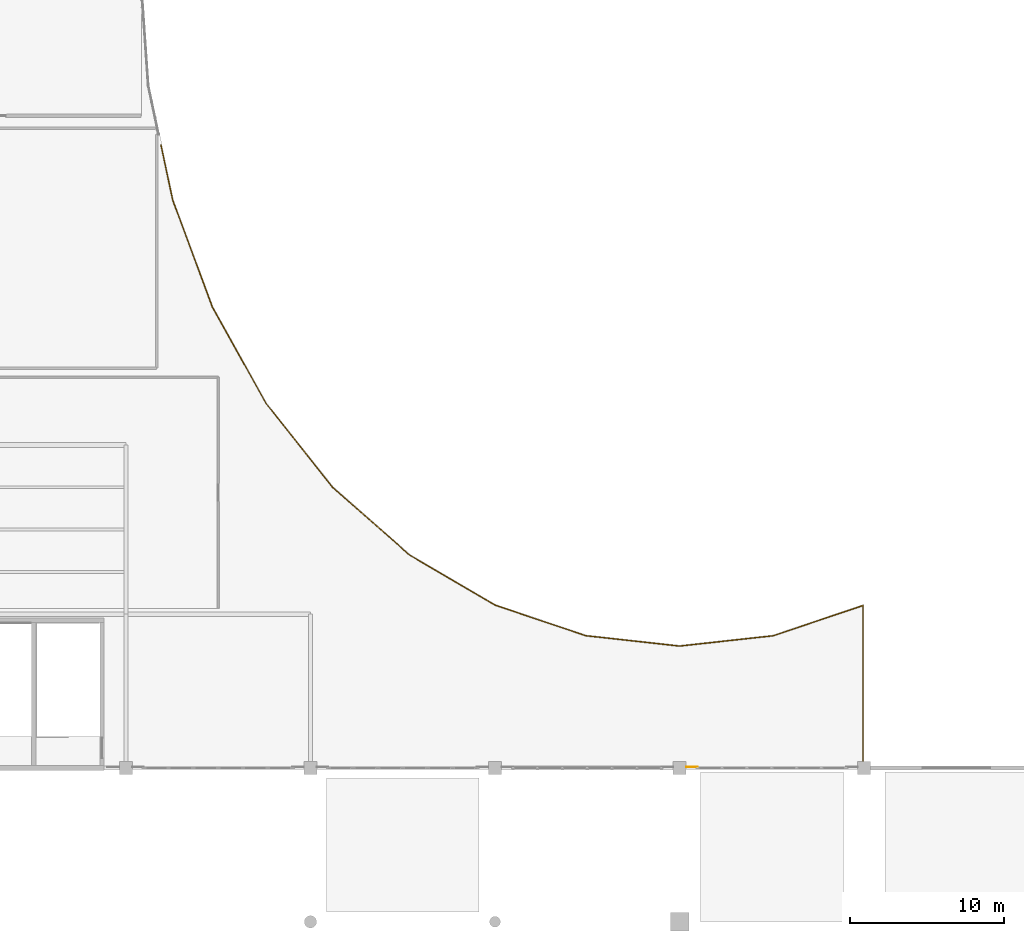
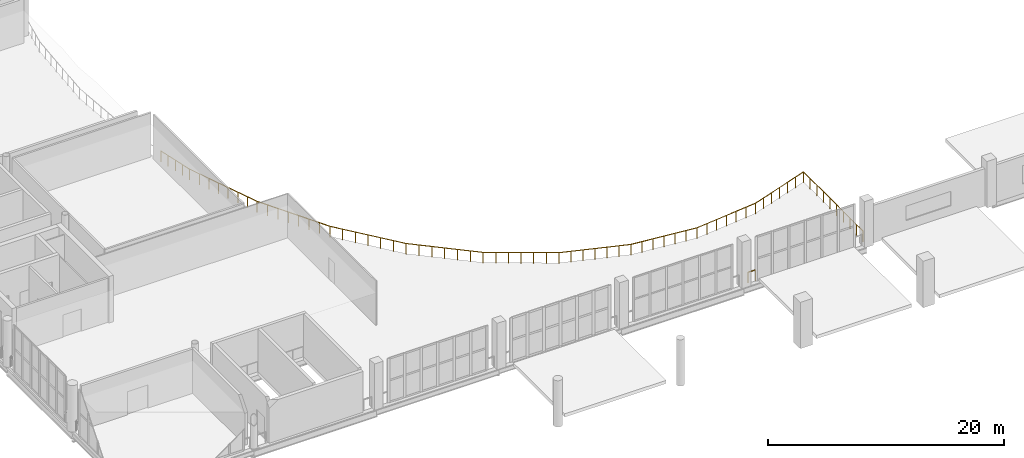
# One storey, part 43 of 49: 2 railings.
"""IFC4 building model written with IfcOpenShell, lengths in metres."""

from ifc_helpers import new_model, si_unit, direction, frame, origin, origin_2d, place, context, subcontext, project, spatial, circle, extrude, material, type_object, element, save


model = new_model("IFC4")

# Units and contexts
model_context = context("Model", 3, precision=1e-05, world=origin(), true_north=direction((0.0, 1.0)))
body_context = subcontext(model_context, "Body", "Model", "MODEL_VIEW")
ifc_project = project(units=[si_unit("LENGTHUNIT", "METRE"), si_unit("AREAUNIT", "SQUARE_METRE"), si_unit("VOLUMEUNIT", "CUBIC_METRE"), si_unit("PLANEANGLEUNIT", "RADIAN"), si_unit("MASSUNIT", "GRAM", prefix="KILO")], contexts=[model_context])

# Site, building, storey
site_placement = place(None, origin())
site = spatial("IfcSite", under=ifc_project, at=site_placement, CompositionType="ELEMENT")
building_placement = place(site_placement, origin())
building = spatial("IfcBuilding", under=site, at=building_placement, Name="Brinegate Civic Arena", CompositionType="ELEMENT")
storey_placement = place(building_placement, frame((0.0, 0.0, 24.60009765625)))
storey = spatial("IfcBuildingStorey", under=building, at=storey_placement, Name="L05", CompositionType="ELEMENT", Elevation=24.60009765625)

# Railings
ifc_material = material(Name="Architectural stainless steel balustrade", Category="steel")
railing_type = type_object("IfcRailingType", Name="RAIL-VOID-BALUSTRADE-1120", PredefinedType="BALUSTRADE", material=ifc_material)
railing_1_placement = place(storey_placement, frame((74.280029296875, 50.513916015625, 0.0)))
element("IfcRailing", 1, at=railing_1_placement, inside=storey, type_object=railing_type, Name="Deck Edge Balustrade L05-432", PredefinedType="BALUSTRADE", context=body_context, shape_type="SweptSolid", body=[
    extrude(circle(Radius=0.02392578125, at=origin_2d()), frame((0.000244140625, -0.00146484375, 1.09619140625), z_axis=(0.208549107908, -0.978011896446, 0.0), x_axis=(0.978011896446, 0.208549107908, 0.0)), (0.0, 0.0, 1.0), 3.6552734375),
    extrude(circle(Radius=0.02392578125, at=origin_2d()), frame((0.763427734375, -3.579345703125, 1.09619140625), z_axis=(0.347588575345, -0.937647152339, 0.0), x_axis=(0.937647152339, 0.347588575345, 0.0)), (0.0, 0.0, 1.0), 7.419677734375),
    extrude(circle(Radius=0.02392578125, at=origin_2d()), frame((3.34375, -10.5390625, 1.09619140625), z_axis=(0.48647155948, -0.873696412845, 0.0), x_axis=(0.873696412845, 0.48647155948, 0.0)), (0.0, 0.0, 1.0), 7.19970703125),
    extrude(circle(Radius=0.02392578125, at=origin_2d()), frame((6.847900390625, -16.83203125, 1.09619140625), z_axis=(0.622371782973, -0.782721766504, 0.0), x_axis=(0.782721766504, 0.622371782973, 0.0)), (0.0, 0.0, 1.0), 6.938232421875),
    extrude(circle(Radius=0.02392578125, at=origin_2d()), frame((11.168212890625, -22.264892578125, 1.09619140625), z_axis=(0.750584997788, -0.660773910725, 0.0), x_axis=(0.660773910725, 0.750584997788, 0.0)), (0.0, 0.0, 1.0), 6.66796875),
    extrude(circle(Radius=0.02392578125, at=origin_2d()), frame((16.17529296875, -26.672607421875, 1.09619140625), z_axis=(0.862658503131, -0.505786819693, 0.0), x_axis=(0.505786819693, 0.862658503131, 0.0)), (0.0, 0.0, 1.0), 6.418701171875),
    extrude(circle(Radius=0.02392578125, at=origin_2d()), frame((21.71533203125, -29.92041015625, 1.09619140625), z_axis=(0.947557088341, -0.31958655218, 0.0), x_axis=(0.31958655218, 0.947557088341, 0.0)), (0.0, 0.0, 1.0), 6.22998046875),
    extrude(circle(Radius=0.02392578125, at=origin_2d()), frame((27.621337890625, -31.912109375, 1.09619140625), z_axis=(0.993968933413, -0.109662023552, 0.0), x_axis=(0.109662023552, 0.993968933413, 0.0)), (0.0, 0.0, 1.0), 6.1259765625),
    extrude(circle(Radius=0.02392578125, at=origin_2d()), frame((33.71337890625, -32.583984375, 1.09619140625), z_axis=(1.0, 0.0, 0.0), x_axis=(0.0, 1.0, 0.0)), (0.0, 0.0, 1.0), 0.01318359375),
    extrude(circle(Radius=0.02392578125, at=origin_2d()), frame((33.7294921875, -32.583740234375, 1.09619140625), z_axis=(0.994014983265, 0.109243823829, 0.0), x_axis=(-0.109243823829, 0.994014983265, 0.0)), (0.0, 0.0, 1.0), 6.111572265625),
    extrude(circle(Radius=0.02392578125, at=origin_2d()), frame((39.807373046875, -31.91552734375, 1.09619140625), z_axis=(0.947704844404, 0.319148128451, 0.0), x_axis=(-0.319148128451, 0.947704844404, 0.0)), (0.0, 0.0, 1.0), 6.16357421875),
    extrude(circle(Radius=0.02392578125, at=origin_2d()), frame((45.64990234375, -29.949462890625, 1.09619140625), z_axis=(0.0, -1.0, 0.0), x_axis=(1.0, 0.0, 0.0)), (0.0, 0.0, 1.0), 10.117919921875),
    extrude(circle(Radius=0.02099609375, at=origin_2d()), origin(), (0.0, 0.0, 1.0), 1.070068359375),
    extrude(circle(Radius=0.02099609375, at=origin_2d()), frame((0.190673828125, -0.89453125, 0.0)), (0.0, 0.0, 1.0), 1.070068359375),
    extrude(circle(Radius=0.02099609375, at=origin_2d()), frame((0.38134765625, -1.7890625, 0.0)), (0.0, 0.0, 1.0), 1.070068359375),
    extrude(circle(Radius=0.02099609375, at=origin_2d()), frame((0.572265625, -2.683349609375, 0.0)), (0.0, 0.0, 1.0), 1.070068359375),
    extrude(circle(Radius=0.02099609375, at=origin_2d()), frame((0.762939453125, -3.577880859375, 0.0)), (0.0, 0.0, 1.0), 1.070068359375),
    extrude(circle(Radius=0.02099609375, at=origin_2d()), frame((1.131591796875, -4.572265625, 0.0)), (0.0, 0.0, 1.0), 1.070068359375),
    extrude(circle(Radius=0.02099609375, at=origin_2d()), frame((1.5, -5.56640625, 0.0)), (0.0, 0.0, 1.0), 1.070068359375),
    extrude(circle(Radius=0.02099609375, at=origin_2d()), frame((1.86865234375, -6.560791015625, 0.0)), (0.0, 0.0, 1.0), 1.070068359375),
    extrude(circle(Radius=0.02099609375, at=origin_2d()), frame((2.2373046875, -7.554931640625, 0.0)), (0.0, 0.0, 1.0), 1.070068359375),
    extrude(circle(Radius=0.02099609375, at=origin_2d()), frame((2.60595703125, -8.54931640625, 0.0)), (0.0, 0.0, 1.0), 1.070068359375),
    extrude(circle(Radius=0.02099609375, at=origin_2d()), frame((2.974365234375, -9.54345703125, 0.0)), (0.0, 0.0, 1.0), 1.070068359375),
    extrude(circle(Radius=0.02099609375, at=origin_2d()), frame((3.343017578125, -10.537841796875, 0.0)), (0.0, 0.0, 1.0), 1.070068359375),
    extrude(circle(Radius=0.02099609375, at=origin_2d()), frame((3.843505859375, -11.436767578125, 0.0)), (0.0, 0.0, 1.0), 1.070068359375),
    extrude(circle(Radius=0.02099609375, at=origin_2d()), frame((4.34423828125, -12.3359375, 0.0)), (0.0, 0.0, 1.0), 1.070068359375),
    extrude(circle(Radius=0.02099609375, at=origin_2d()), frame((4.8447265625, -13.23486328125, 0.0)), (0.0, 0.0, 1.0), 1.070068359375),
    extrude(circle(Radius=0.02099609375, at=origin_2d()), frame((5.34521484375, -14.1337890625, 0.0)), (0.0, 0.0, 1.0), 1.070068359375),
    extrude(circle(Radius=0.02099609375, at=origin_2d()), frame((5.845703125, -15.03271484375, 0.0)), (0.0, 0.0, 1.0), 1.070068359375),
    extrude(circle(Radius=0.02099609375, at=origin_2d()), frame((6.346435546875, -15.931884765625, 0.0)), (0.0, 0.0, 1.0), 1.070068359375),
    extrude(circle(Radius=0.02099609375, at=origin_2d()), frame((6.846923828125, -16.830810546875, 0.0)), (0.0, 0.0, 1.0), 1.070068359375),
    extrude(circle(Radius=0.02099609375, at=origin_2d()), frame((7.56689453125, -17.736328125, 0.0)), (0.0, 0.0, 1.0), 1.070068359375),
    extrude(circle(Radius=0.02099609375, at=origin_2d()), frame((8.286865234375, -18.641845703125, 0.0)), (0.0, 0.0, 1.0), 1.070068359375),
    extrude(circle(Radius=0.02099609375, at=origin_2d()), frame((9.0068359375, -19.54736328125, 0.0)), (0.0, 0.0, 1.0), 1.070068359375),
    extrude(circle(Radius=0.02099609375, at=origin_2d()), frame((9.72705078125, -20.452880859375, 0.0)), (0.0, 0.0, 1.0), 1.070068359375),
    extrude(circle(Radius=0.02099609375, at=origin_2d()), frame((10.447021484375, -21.3583984375, 0.0)), (0.0, 0.0, 1.0), 1.070068359375),
    extrude(circle(Radius=0.02099609375, at=origin_2d()), frame((11.1669921875, -22.263916015625, 0.0)), (0.0, 0.0, 1.0), 1.070068359375),
    extrude(circle(Radius=0.02099609375, at=origin_2d()), frame((12.00146484375, -22.99853515625, 0.0)), (0.0, 0.0, 1.0), 1.070068359375),
    extrude(circle(Radius=0.02099609375, at=origin_2d()), frame((12.8359375, -23.733154296875, 0.0)), (0.0, 0.0, 1.0), 1.070068359375),
    extrude(circle(Radius=0.02099609375, at=origin_2d()), frame((13.67041015625, -24.4677734375, 0.0)), (0.0, 0.0, 1.0), 1.070068359375),
    extrude(circle(Radius=0.02099609375, at=origin_2d()), frame((14.505126953125, -25.20263671875, 0.0)), (0.0, 0.0, 1.0), 1.070068359375),
    extrude(circle(Radius=0.02099609375, at=origin_2d()), frame((15.339599609375, -25.937255859375, 0.0)), (0.0, 0.0, 1.0), 1.070068359375),
    extrude(circle(Radius=0.02099609375, at=origin_2d()), frame((16.174072265625, -26.671875, 0.0)), (0.0, 0.0, 1.0), 1.070068359375),
    extrude(circle(Radius=0.02099609375, at=origin_2d()), frame((17.097412109375, -27.213134765625, 0.0)), (0.0, 0.0, 1.0), 1.070068359375),
    extrude(circle(Radius=0.02099609375, at=origin_2d()), frame((18.020751953125, -27.754638671875, 0.0)), (0.0, 0.0, 1.0), 1.070068359375),
    extrude(circle(Radius=0.02099609375, at=origin_2d()), frame((18.94384765625, -28.2958984375, 0.0)), (0.0, 0.0, 1.0), 1.070068359375),
    extrude(circle(Radius=0.02099609375, at=origin_2d()), frame((19.8671875, -28.837158203125, 0.0)), (0.0, 0.0, 1.0), 1.070068359375),
    extrude(circle(Radius=0.02099609375, at=origin_2d()), frame((20.79052734375, -29.378662109375, 0.0)), (0.0, 0.0, 1.0), 1.070068359375),
    extrude(circle(Radius=0.02099609375, at=origin_2d()), frame((21.7138671875, -29.919921875, 0.0)), (0.0, 0.0, 1.0), 1.070068359375),
    extrude(circle(Radius=0.02099609375, at=origin_2d()), frame((22.6982421875, -30.251953125, 0.0)), (0.0, 0.0, 1.0), 1.070068359375),
    extrude(circle(Radius=0.02099609375, at=origin_2d()), frame((23.6826171875, -30.583984375, 0.0)), (0.0, 0.0, 1.0), 1.070068359375),
    extrude(circle(Radius=0.02099609375, at=origin_2d()), frame((24.6669921875, -30.916015625, 0.0)), (0.0, 0.0, 1.0), 1.070068359375),
    extrude(circle(Radius=0.02099609375, at=origin_2d()), frame((25.651123046875, -31.247802734375, 0.0)), (0.0, 0.0, 1.0), 1.070068359375),
    extrude(circle(Radius=0.02099609375, at=origin_2d()), frame((26.635498046875, -31.579833984375, 0.0)), (0.0, 0.0, 1.0), 1.070068359375),
    extrude(circle(Radius=0.02099609375, at=origin_2d()), frame((27.619873046875, -31.911865234375, 0.0)), (0.0, 0.0, 1.0), 1.070068359375),
    extrude(circle(Radius=0.02099609375, at=origin_2d()), frame((28.63525390625, -32.02392578125, 0.0)), (0.0, 0.0, 1.0), 1.070068359375),
    extrude(circle(Radius=0.02099609375, at=origin_2d()), frame((29.650634765625, -32.135986328125, 0.0)), (0.0, 0.0, 1.0), 1.070068359375),
    extrude(circle(Radius=0.02099609375, at=origin_2d()), frame((30.666015625, -32.248046875, 0.0)), (0.0, 0.0, 1.0), 1.070068359375),
    extrude(circle(Radius=0.02099609375, at=origin_2d()), frame((31.68115234375, -32.35986328125, 0.0)), (0.0, 0.0, 1.0), 1.070068359375),
    extrude(circle(Radius=0.02099609375, at=origin_2d()), frame((32.696533203125, -32.471923828125, 0.0)), (0.0, 0.0, 1.0), 1.070068359375),
    extrude(circle(Radius=0.02099609375, at=origin_2d()), frame((33.7119140625, -32.583984375, 0.0)), (0.0, 0.0, 1.0), 1.070068359375),
    extrude(circle(Radius=0.02099609375, at=origin_2d()), frame((34.740966796875, -32.47265625, 0.0)), (0.0, 0.0, 1.0), 1.070068359375),
    extrude(circle(Radius=0.02099609375, at=origin_2d()), frame((35.75390625, -32.361328125, 0.0)), (0.0, 0.0, 1.0), 1.070068359375),
    extrude(circle(Radius=0.02099609375, at=origin_2d()), frame((36.76708984375, -32.25, 0.0)), (0.0, 0.0, 1.0), 1.070068359375),
    extrude(circle(Radius=0.02099609375, at=origin_2d()), frame((37.780029296875, -32.138671875, 0.0)), (0.0, 0.0, 1.0), 1.070068359375),
    extrude(circle(Radius=0.02099609375, at=origin_2d()), frame((38.79296875, -32.02734375, 0.0)), (0.0, 0.0, 1.0), 1.070068359375),
    extrude(circle(Radius=0.02099609375, at=origin_2d()), frame((39.805908203125, -31.916015625, 0.0)), (0.0, 0.0, 1.0), 1.070068359375),
    extrude(circle(Radius=0.02099609375, at=origin_2d()), frame((40.77978515625, -31.587890625, 0.0)), (0.0, 0.0, 1.0), 1.070068359375),
    extrude(circle(Radius=0.02099609375, at=origin_2d()), frame((41.75390625, -31.260009765625, 0.0)), (0.0, 0.0, 1.0), 1.070068359375),
    extrude(circle(Radius=0.02099609375, at=origin_2d()), frame((42.72802734375, -30.93212890625, 0.0)), (0.0, 0.0, 1.0), 1.070068359375),
    extrude(circle(Radius=0.02099609375, at=origin_2d()), frame((43.701904296875, -30.60400390625, 0.0)), (0.0, 0.0, 1.0), 1.070068359375),
    extrude(circle(Radius=0.02099609375, at=origin_2d()), frame((44.67578125, -30.27587890625, 0.0)), (0.0, 0.0, 1.0), 1.070068359375),
    extrude(circle(Radius=0.02099609375, at=origin_2d()), frame((45.64990234375, -29.947998046875, 0.0)), (0.0, 0.0, 1.0), 1.070068359375),
    extrude(circle(Radius=0.02099609375, at=origin_2d()), frame((45.64990234375, -31.072509765625, 0.0)), (0.0, 0.0, 1.0), 1.070068359375),
    extrude(circle(Radius=0.02099609375, at=origin_2d()), frame((45.64990234375, -32.197021484375, 0.0)), (0.0, 0.0, 1.0), 1.070068359375),
    extrude(circle(Radius=0.02099609375, at=origin_2d()), frame((45.64990234375, -33.321533203125, 0.0)), (0.0, 0.0, 1.0), 1.070068359375),
    extrude(circle(Radius=0.02099609375, at=origin_2d()), frame((45.64990234375, -34.446044921875, 0.0)), (0.0, 0.0, 1.0), 1.070068359375),
    extrude(circle(Radius=0.02099609375, at=origin_2d()), frame((45.64990234375, -35.57080078125, 0.0)), (0.0, 0.0, 1.0), 1.070068359375),
    extrude(circle(Radius=0.02099609375, at=origin_2d()), frame((45.64990234375, -36.6953125, 0.0)), (0.0, 0.0, 1.0), 1.070068359375),
    extrude(circle(Radius=0.02099609375, at=origin_2d()), frame((45.64990234375, -37.81982421875, 0.0)), (0.0, 0.0, 1.0), 1.070068359375),
    extrude(circle(Radius=0.02099609375, at=origin_2d()), frame((45.64990234375, -38.9443359375, 0.0)), (0.0, 0.0, 1.0), 1.070068359375),
    extrude(circle(Radius=0.02099609375, at=origin_2d()), frame((45.64990234375, -40.06884765625, 0.0)), (0.0, 0.0, 1.0), 1.070068359375),
])
railing_2_placement = place(storey_placement, frame((109.15087890625, 10.070068359375, 0.0)))
element("IfcRailing", 2, at=railing_2_placement, inside=storey, type_object=railing_type, Name="Deck Edge Balustrade L05-434", PredefinedType="BALUSTRADE", context=body_context, shape_type="SweptSolid", body=[
    extrude(circle(Radius=0.02392578125, at=origin_2d()), frame((-0.00146484375, 0.0, 1.09619140625), z_axis=(-1.0, 0.0, 0.0), x_axis=(0.0, -1.0, 0.0)), (0.0, 0.0, 1.0), 0.702880859375),
    extrude(circle(Radius=0.02099609375, at=origin_2d()), origin(), (0.0, 0.0, 1.0), 1.070068359375),
    extrude(circle(Radius=0.02099609375, at=origin_2d()), frame((-0.705810546875, 0.0, 0.0)), (0.0, 0.0, 1.0), 1.070068359375),
])

save(model, "model.ifc")
